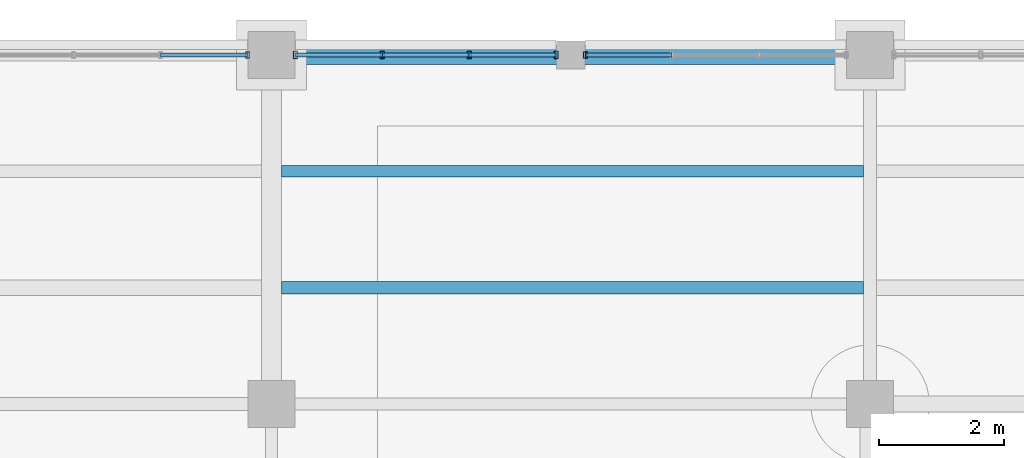
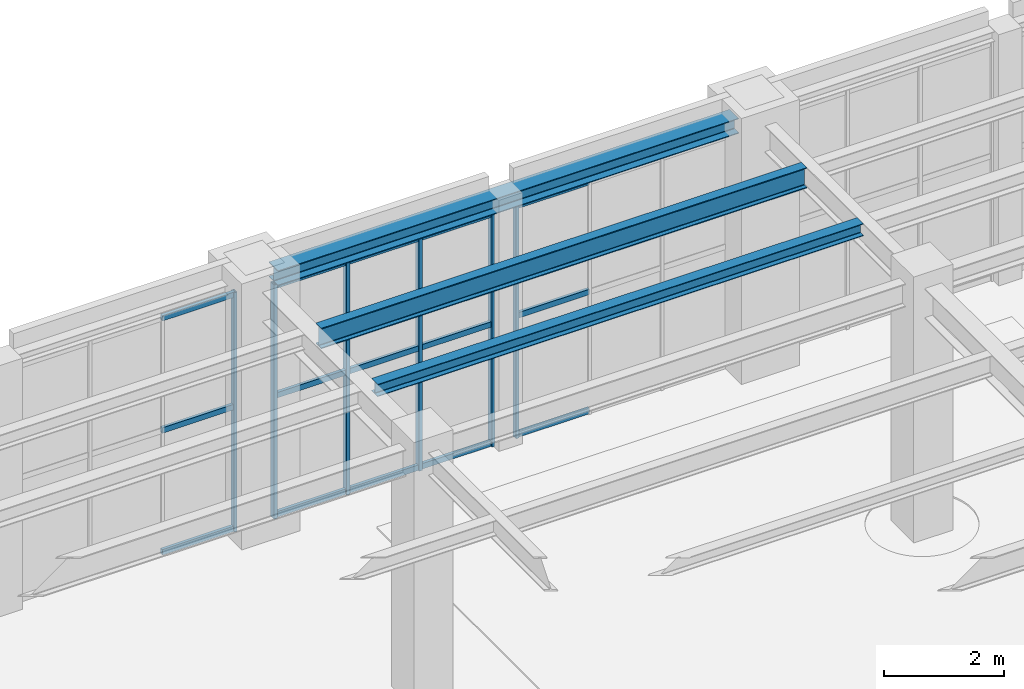
# One storey, part 76 of 164: 21 members, 3 beams, 3 elements without a shape of their own.
"""IFC4 building model written with IfcOpenShell, lengths in metres."""

from ifc_helpers import new_model, si_unit, direction, frame, origin, origin_2d, place, context, subcontext, project, spatial, hollow_rectangle, i_section, extrude, material, material_profile, profile_set, type_object, element, aggregate, save


model = new_model("IFC4")

# Units and contexts
model_context = context("Model", 3, precision=1e-05, world=origin(), true_north=direction((0.0, 1.0)))
body_context = subcontext(model_context, "Body", "Model", "MODEL_VIEW")
ifc_project = project(units=[si_unit("LENGTHUNIT", "METRE"), si_unit("AREAUNIT", "SQUARE_METRE"), si_unit("VOLUMEUNIT", "CUBIC_METRE"), si_unit("PLANEANGLEUNIT", "RADIAN"), si_unit("MASSUNIT", "GRAM", prefix="KILO")], contexts=[model_context])

# Site, building, storey
site_placement = place(None, origin())
site = spatial("IfcSite", under=ifc_project, at=site_placement, CompositionType="ELEMENT")
building_placement = place(site_placement, origin())
building = spatial("IfcBuilding", under=site, at=building_placement, Name="Mavantir Sound Aquarium", CompositionType="ELEMENT")
storey_placement = place(building_placement, origin())
storey = spatial("IfcBuildingStorey", under=building, at=storey_placement, Name="L00", CompositionType="ELEMENT", Elevation=0.0)

# Beams
ifc_material_1 = material(Name="Structural Steel ASTM A992 Gr50", Category="steel")
ifc_material_profile_1 = material_profile(ifc_material_1, i_section(OverallWidth=0.202880859375, OverallDepth=0.251953125, WebThickness=0.008056640625, FlangeThickness=0.013427734375, FilletRadius=0.011962890625, at=origin_2d()), Name="W250X58")
ifc_profile_set_1 = profile_set([ifc_material_profile_1], Name="Structural Steel ASTM A992 Gr50")
beam_type_1 = type_object("IfcBeamType", Name="BM-W250X58-I", PredefinedType="JOIST", material=ifc_profile_set_1)
beam_1_placement = place(storey_placement, frame((9.761962890625, 112.2666015625, 4.969970703125), z_axis=(1.0, 0.0, 0.0), x_axis=(0.0, 1.0, 0.0)))
element("IfcBeam", 1, at=beam_1_placement, inside=storey, type_object=beam_type_1, Name="L00 secondary floor joist SJ-25 604", PredefinedType="JOIST", context=body_context, shape_type="SweptSolid", body=[
    extrude(i_section(OverallWidth=0.202880859375, OverallDepth=0.251953125, WebThickness=0.008056640625, FlangeThickness=0.013427734375, FilletRadius=0.011962890625, at=origin_2d()), origin(), (0.0, 0.0, 1.0), 9.33203125),
])
ifc_material_profile_2 = material_profile(ifc_material_1, i_section(OverallWidth=0.304931640625, OverallDepth=0.30810546875, WebThickness=0.010009765625, FlangeThickness=0.015380859375, FilletRadius=0.014892578125, at=origin_2d()), Name="W310X97")
ifc_profile_set_2 = profile_set([ifc_material_profile_2], Name="Structural Steel ASTM A992 Gr50")
beam_type_2 = type_object("IfcBeamType", Name="BM-W310X97-E", PredefinedType="SPANDREL", material=ifc_profile_set_2)
beam_2_placement = place(storey_placement, frame((9.97509765625, 116.0, 4.94189453125), z_axis=(1.0, 0.0, 0.0), x_axis=(0.0, 1.0, 0.0)))
element("IfcBeam", 2, at=beam_2_placement, inside=storey, type_object=beam_type_2, Name="L00 primary beam SS-31A 1047", PredefinedType="SPANDREL", context=body_context, shape_type="SweptSolid", body=[
    extrude(i_section(OverallWidth=0.304931640625, OverallDepth=0.30810546875, WebThickness=0.010009765625, FlangeThickness=0.015380859375, FilletRadius=0.014892578125, at=origin_2d()), origin(), (0.0, 0.0, 1.0), 8.849853515625),
])
ifc_material_profile_3 = material_profile(ifc_material_1, i_section(OverallWidth=0.180908203125, OverallDepth=0.4169921875, WebThickness=0.010986328125, FlangeThickness=0.018310546875, FilletRadius=0.014892578125, at=origin_2d()), Name="W410X85")
ifc_profile_set_3 = profile_set([ifc_material_profile_3], Name="Structural Steel ASTM A992 Gr50")
beam_type_3 = type_object("IfcBeamType", Name="BM-W410X85-I", PredefinedType="JOIST", material=ifc_profile_set_3)
beam_3_placement = place(storey_placement, frame((9.761962890625, 114.13330078125, 4.887451171875), z_axis=(1.0, 0.0, 0.0), x_axis=(0.0, 1.0, 0.0)))
element("IfcBeam", 3, at=beam_3_placement, inside=storey, type_object=beam_type_3, Name="L00 secondary floor joist SJ-41 605", PredefinedType="JOIST", context=body_context, shape_type="SweptSolid", body=[
    extrude(i_section(OverallWidth=0.180908203125, OverallDepth=0.4169921875, WebThickness=0.010986328125, FlangeThickness=0.018310546875, FilletRadius=0.014892578125, at=origin_2d()), origin(), (0.0, 0.0, 1.0), 9.33203125),
])

# Curtain wall, member
ifc_material_2 = material(Name="Anodised Marine Aluminium and Low-E Glass", Category="aluminium")
curtain_wall_type_1 = type_object("IfcCurtainWallType", Name="CW-T15", PredefinedType="USERDEFINED", material=ifc_material_2)
curtain_wall_1_placement = place(storey_placement, origin())
curtain_wall_1 = element("IfcCurtainWall", 4, at=curtain_wall_1_placement, inside=storey, type_object=curtain_wall_type_1, Name="L00 unitised curtain wall CW-15 39", ObjectType="UNITISED GLAZING", PredefinedType="USERDEFINED")
ifc_material_3 = material(Name="Anodised Marine Aluminium 6063-T6", Category="aluminium")
ifc_material_profile_4 = material_profile(ifc_material_3, hollow_rectangle(XDim=0.06005859375, YDim=0.10009765625, WallThickness=0.00390625, at=origin_2d()), Name="ALU-MULLION-100X60")
ifc_profile_set_4 = profile_set([ifc_material_profile_4], Name="Anodised Marine Aluminium 6063-T6")
member_type_1 = type_object("IfcMemberType", Name="CW-MUL-100", PredefinedType="MULLION", material=ifc_profile_set_4)
member_1_placement = place(storey_placement, frame((14.633056640625, 116.0, 0.0), z_axis=(0.0, 0.0, 1.0), x_axis=(1.0, 0.0, 0.0)))
member_1 = element("IfcMember", 5, at=member_1_placement, type_object=member_type_1, Name="CW-L00-039 vertical mullion 4", PredefinedType="MULLION", context=body_context, shape_type="SweptSolid", body=[
    extrude(hollow_rectangle(XDim=0.06005859375, YDim=0.10009765625, WallThickness=0.00390625, at=origin_2d()), origin(), (0.0, 0.0, 1.0), 4.758056640625),
])

curtain_wall_type_2 = type_object("IfcCurtainWallType", Name="CW-T17", PredefinedType="USERDEFINED", material=ifc_material_2)
curtain_wall_2_placement = place(storey_placement, origin())
curtain_wall_2 = element("IfcCurtainWall", 6, at=curtain_wall_2_placement, inside=storey, type_object=curtain_wall_type_2, Name="L00 unitised curtain wall CW-17 41", ObjectType="UNITISED GLAZING", PredefinedType="USERDEFINED")
member_2_placement = place(storey_placement, frame((9.217041015625, 116.0, 0.0), z_axis=(0.0, 0.0, 1.0), x_axis=(1.0, 0.0, 0.0)))
member_2 = element("IfcMember", 7, at=member_2_placement, type_object=member_type_1, Name="CW-L00-041 vertical mullion 1", PredefinedType="MULLION", context=body_context, shape_type="SweptSolid", body=[
    extrude(hollow_rectangle(XDim=0.06005859375, YDim=0.10009765625, WallThickness=0.00390625, at=origin_2d()), origin(), (0.0, 0.0, 1.0), 4.863037109375),
])

# Curtain wall, members
curtain_wall_type_3 = type_object("IfcCurtainWallType", Name="CW-T16", PredefinedType="USERDEFINED", material=ifc_material_2)
curtain_wall_3_placement = place(storey_placement, origin())
curtain_wall_3 = element("IfcCurtainWall", 8, at=curtain_wall_3_placement, inside=storey, type_object=curtain_wall_type_3, Name="L00 unitised curtain wall CW-16 40", ObjectType="UNITISED GLAZING", PredefinedType="USERDEFINED")
ifc_material_profile_5 = material_profile(ifc_material_3, hollow_rectangle(XDim=0.06494140625, YDim=0.1201171875, WallThickness=0.00390625, at=origin_2d()), Name="ALU-MULLION-120X65")
ifc_profile_set_5 = profile_set([ifc_material_profile_5], Name="Anodised Marine Aluminium 6063-T6")
member_type_2 = type_object("IfcMemberType", Name="CW-MUL-120", PredefinedType="MULLION", material=ifc_profile_set_5)
member_3_placement = place(storey_placement, frame((14.1669921875, 116.0, 0.0), z_axis=(0.0, 0.0, 1.0), x_axis=(1.0, 0.0, 0.0)))
member_3 = element("IfcMember", 9, at=member_3_placement, type_object=member_type_2, Name="CW-L00-040 vertical mullion 1", PredefinedType="MULLION", context=body_context, shape_type="SweptSolid", body=[
    extrude(hollow_rectangle(XDim=0.06494140625, YDim=0.1201171875, WallThickness=0.00390625, at=origin_2d()), origin(), (0.0, 0.0, 1.0), 4.758056640625),
])
member_4_placement = place(storey_placement, frame((12.772216796875, 116.0, 0.0), z_axis=(0.0, 0.0, 1.0), x_axis=(1.0, 0.0, 0.0)))
member_4 = element("IfcMember", 10, at=member_4_placement, type_object=member_type_2, Name="CW-L00-040 vertical mullion 2", PredefinedType="MULLION", context=body_context, shape_type="SweptSolid", body=[
    extrude(hollow_rectangle(XDim=0.06494140625, YDim=0.1201171875, WallThickness=0.00390625, at=origin_2d()), origin(), (0.0, 0.0, 1.0), 4.758056640625),
])
member_5_placement = place(storey_placement, frame((11.377685546875, 116.0, 0.0), z_axis=(0.0, 0.0, 1.0), x_axis=(1.0, 0.0, 0.0)))
member_5 = element("IfcMember", 11, at=member_5_placement, type_object=member_type_2, Name="CW-L00-040 vertical mullion 3", PredefinedType="MULLION", context=body_context, shape_type="SweptSolid", body=[
    extrude(hollow_rectangle(XDim=0.06494140625, YDim=0.1201171875, WallThickness=0.00390625, at=origin_2d()), origin(), (0.0, 0.0, 1.0), 4.758056640625),
])
member_6_placement = place(storey_placement, frame((9.98291015625, 116.0, 0.0), z_axis=(0.0, 0.0, 1.0), x_axis=(1.0, 0.0, 0.0)))
member_6 = element("IfcMember", 12, at=member_6_placement, type_object=member_type_2, Name="CW-L00-040 vertical mullion 4", PredefinedType="MULLION", context=body_context, shape_type="SweptSolid", body=[
    extrude(hollow_rectangle(XDim=0.06494140625, YDim=0.1201171875, WallThickness=0.00390625, at=origin_2d()), origin(), (0.0, 0.0, 1.0), 4.758056640625),
])

# Member
ifc_material_profile_6 = material_profile(ifc_material_3, hollow_rectangle(XDim=0.06005859375, YDim=0.110107421875, WallThickness=0.00390625, at=origin_2d()), Name="ALU-TRANSOM-110X60")
ifc_profile_set_6 = profile_set([ifc_material_profile_6], Name="Anodised Marine Aluminium 6063-T6")
member_type_3 = type_object("IfcMemberType", Name="CW-TRN-110", PredefinedType="USERDEFINED", material=ifc_profile_set_6)
member_7_placement = place(storey_placement, frame((16.027587890625, 116.0, 0.054931640625), z_axis=(-1.0, 0.0, 0.0), x_axis=(0.0, -1.0, 0.0)))
member_7 = element("IfcMember", 13, at=member_7_placement, type_object=member_type_3, Name="CW-L00-039 transom 3.1", ObjectType="TRANSOM", PredefinedType="USERDEFINED", context=body_context, shape_type="SweptSolid", body=[
    extrude(hollow_rectangle(XDim=0.06005859375, YDim=0.110107421875, WallThickness=0.00390625, at=origin_2d()), origin(), (0.0, 0.0, 1.0), 1.39453125),
])

member_8_placement = place(storey_placement, frame((16.027587890625, 116.0, 2.47412109375), z_axis=(-1.0, 0.0, 0.0), x_axis=(0.0, -1.0, 0.0)))
member_8 = element("IfcMember", 14, at=member_8_placement, type_object=member_type_3, Name="CW-L00-039 transom 3.2", ObjectType="TRANSOM", PredefinedType="USERDEFINED", context=body_context, shape_type="SweptSolid", body=[
    extrude(hollow_rectangle(XDim=0.06005859375, YDim=0.110107421875, WallThickness=0.00390625, at=origin_2d()), origin(), (0.0, 0.0, 1.0), 1.39453125),
])

member_9_placement = place(storey_placement, frame((16.027587890625, 116.0, 4.702880859375), z_axis=(-1.0, 0.0, 0.0), x_axis=(0.0, -1.0, 0.0)))
member_9 = element("IfcMember", 15, at=member_9_placement, type_object=member_type_3, Name="CW-L00-039 transom 3.3", ObjectType="TRANSOM", PredefinedType="USERDEFINED", context=body_context, shape_type="SweptSolid", body=[
    extrude(hollow_rectangle(XDim=0.06005859375, YDim=0.110107421875, WallThickness=0.00390625, at=origin_2d()), origin(), (0.0, 0.0, 1.0), 1.39453125),
])

aggregate(curtain_wall_1, [member_1, member_7, member_8, member_9])

member_10_placement = place(storey_placement, frame((14.1669921875, 116.0, 0.054931640625), z_axis=(-1.0, 0.0, 0.0), x_axis=(0.0, -1.0, 0.0)))
member_10 = element("IfcMember", 16, at=member_10_placement, type_object=member_type_3, Name="CW-L00-040 transom 1.1", ObjectType="TRANSOM", PredefinedType="USERDEFINED", context=body_context, shape_type="SweptSolid", body=[
    extrude(hollow_rectangle(XDim=0.06005859375, YDim=0.110107421875, WallThickness=0.00390625, at=origin_2d()), origin(), (0.0, 0.0, 1.0), 1.394775390625),
])

member_11_placement = place(storey_placement, frame((14.1669921875, 116.0, 2.47412109375), z_axis=(-1.0, 0.0, 0.0), x_axis=(0.0, -1.0, 0.0)))
member_11 = element("IfcMember", 17, at=member_11_placement, type_object=member_type_3, Name="CW-L00-040 transom 1.2", ObjectType="TRANSOM", PredefinedType="USERDEFINED", context=body_context, shape_type="SweptSolid", body=[
    extrude(hollow_rectangle(XDim=0.06005859375, YDim=0.110107421875, WallThickness=0.00390625, at=origin_2d()), origin(), (0.0, 0.0, 1.0), 1.394775390625),
])

member_12_placement = place(storey_placement, frame((14.1669921875, 116.0, 4.702880859375), z_axis=(-1.0, 0.0, 0.0), x_axis=(0.0, -1.0, 0.0)))
member_12 = element("IfcMember", 18, at=member_12_placement, type_object=member_type_3, Name="CW-L00-040 transom 1.3", ObjectType="TRANSOM", PredefinedType="USERDEFINED", context=body_context, shape_type="SweptSolid", body=[
    extrude(hollow_rectangle(XDim=0.06005859375, YDim=0.110107421875, WallThickness=0.00390625, at=origin_2d()), origin(), (0.0, 0.0, 1.0), 1.394775390625),
])

member_13_placement = place(storey_placement, frame((12.772216796875, 116.0, 0.054931640625), z_axis=(-1.0, 0.0, 0.0), x_axis=(0.0, -1.0, 0.0)))
member_13 = element("IfcMember", 19, at=member_13_placement, type_object=member_type_3, Name="CW-L00-040 transom 2.1", ObjectType="TRANSOM", PredefinedType="USERDEFINED", context=body_context, shape_type="SweptSolid", body=[
    extrude(hollow_rectangle(XDim=0.06005859375, YDim=0.110107421875, WallThickness=0.00390625, at=origin_2d()), origin(), (0.0, 0.0, 1.0), 1.39453125),
])

member_14_placement = place(storey_placement, frame((12.772216796875, 116.0, 2.47412109375), z_axis=(-1.0, 0.0, 0.0), x_axis=(0.0, -1.0, 0.0)))
member_14 = element("IfcMember", 20, at=member_14_placement, type_object=member_type_3, Name="CW-L00-040 transom 2.2", ObjectType="TRANSOM", PredefinedType="USERDEFINED", context=body_context, shape_type="SweptSolid", body=[
    extrude(hollow_rectangle(XDim=0.06005859375, YDim=0.110107421875, WallThickness=0.00390625, at=origin_2d()), origin(), (0.0, 0.0, 1.0), 1.39453125),
])

member_15_placement = place(storey_placement, frame((12.772216796875, 116.0, 4.702880859375), z_axis=(-1.0, 0.0, 0.0), x_axis=(0.0, -1.0, 0.0)))
member_15 = element("IfcMember", 21, at=member_15_placement, type_object=member_type_3, Name="CW-L00-040 transom 2.3", ObjectType="TRANSOM", PredefinedType="USERDEFINED", context=body_context, shape_type="SweptSolid", body=[
    extrude(hollow_rectangle(XDim=0.06005859375, YDim=0.110107421875, WallThickness=0.00390625, at=origin_2d()), origin(), (0.0, 0.0, 1.0), 1.39453125),
])

member_16_placement = place(storey_placement, frame((11.377685546875, 116.0, 0.054931640625), z_axis=(-1.0, 0.0, 0.0), x_axis=(0.0, -1.0, 0.0)))
member_16 = element("IfcMember", 22, at=member_16_placement, type_object=member_type_3, Name="CW-L00-040 transom 3.1", ObjectType="TRANSOM", PredefinedType="USERDEFINED", context=body_context, shape_type="SweptSolid", body=[
    extrude(hollow_rectangle(XDim=0.06005859375, YDim=0.110107421875, WallThickness=0.00390625, at=origin_2d()), origin(), (0.0, 0.0, 1.0), 1.394775390625),
])

member_17_placement = place(storey_placement, frame((11.377685546875, 116.0, 2.47412109375), z_axis=(-1.0, 0.0, 0.0), x_axis=(0.0, -1.0, 0.0)))
member_17 = element("IfcMember", 23, at=member_17_placement, type_object=member_type_3, Name="CW-L00-040 transom 3.2", ObjectType="TRANSOM", PredefinedType="USERDEFINED", context=body_context, shape_type="SweptSolid", body=[
    extrude(hollow_rectangle(XDim=0.06005859375, YDim=0.110107421875, WallThickness=0.00390625, at=origin_2d()), origin(), (0.0, 0.0, 1.0), 1.394775390625),
])

member_18_placement = place(storey_placement, frame((11.377685546875, 116.0, 4.702880859375), z_axis=(-1.0, 0.0, 0.0), x_axis=(0.0, -1.0, 0.0)))
member_18 = element("IfcMember", 24, at=member_18_placement, type_object=member_type_3, Name="CW-L00-040 transom 3.3", ObjectType="TRANSOM", PredefinedType="USERDEFINED", context=body_context, shape_type="SweptSolid", body=[
    extrude(hollow_rectangle(XDim=0.06005859375, YDim=0.110107421875, WallThickness=0.00390625, at=origin_2d()), origin(), (0.0, 0.0, 1.0), 1.394775390625),
])

aggregate(curtain_wall_3, [member_3, member_4, member_5, member_6, member_10, member_11, member_12, member_13, member_14, member_15, member_16, member_17, member_18])

member_19_placement = place(storey_placement, frame((9.217041015625, 116.0, 0.054931640625), z_axis=(-1.0, 0.0, 0.0), x_axis=(0.0, -1.0, 0.0)))
member_19 = element("IfcMember", 25, at=member_19_placement, type_object=member_type_3, Name="CW-L00-041 transom 1.1", ObjectType="TRANSOM", PredefinedType="USERDEFINED", context=body_context, shape_type="SweptSolid", body=[
    extrude(hollow_rectangle(XDim=0.06005859375, YDim=0.110107421875, WallThickness=0.00390625, at=origin_2d()), origin(), (0.0, 0.0, 1.0), 1.394775390625),
])

member_20_placement = place(storey_placement, frame((9.217041015625, 116.0, 2.52880859375), z_axis=(-1.0, 0.0, 0.0), x_axis=(0.0, -1.0, 0.0)))
member_20 = element("IfcMember", 26, at=member_20_placement, type_object=member_type_3, Name="CW-L00-041 transom 1.2", ObjectType="TRANSOM", PredefinedType="USERDEFINED", context=body_context, shape_type="SweptSolid", body=[
    extrude(hollow_rectangle(XDim=0.06005859375, YDim=0.110107421875, WallThickness=0.00390625, at=origin_2d()), origin(), (0.0, 0.0, 1.0), 1.394775390625),
])

member_21_placement = place(storey_placement, frame((9.217041015625, 116.0, 4.80810546875), z_axis=(-1.0, 0.0, 0.0), x_axis=(0.0, -1.0, 0.0)))
member_21 = element("IfcMember", 27, at=member_21_placement, type_object=member_type_3, Name="CW-L00-041 transom 1.3", ObjectType="TRANSOM", PredefinedType="USERDEFINED", context=body_context, shape_type="SweptSolid", body=[
    extrude(hollow_rectangle(XDim=0.06005859375, YDim=0.110107421875, WallThickness=0.00390625, at=origin_2d()), origin(), (0.0, 0.0, 1.0), 1.394775390625),
])

aggregate(curtain_wall_2, [member_2, member_19, member_20, member_21])

save(model, "model.ifc")
